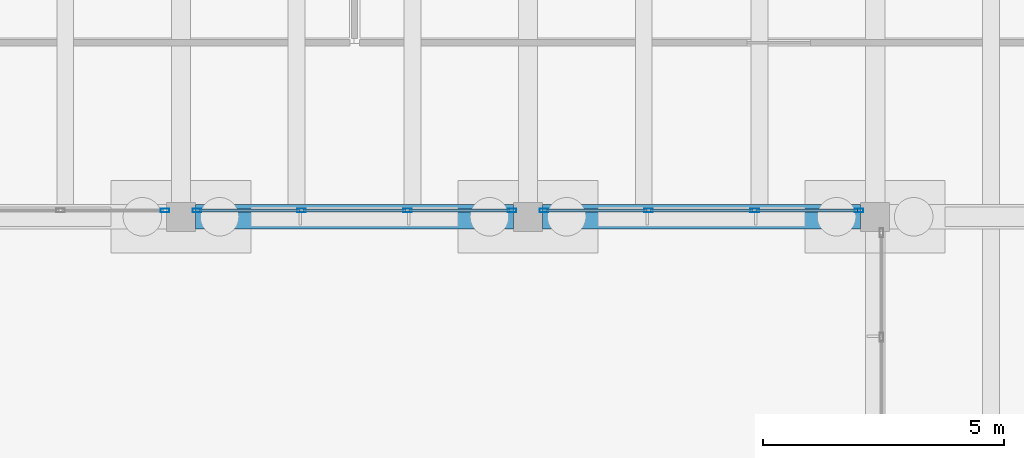
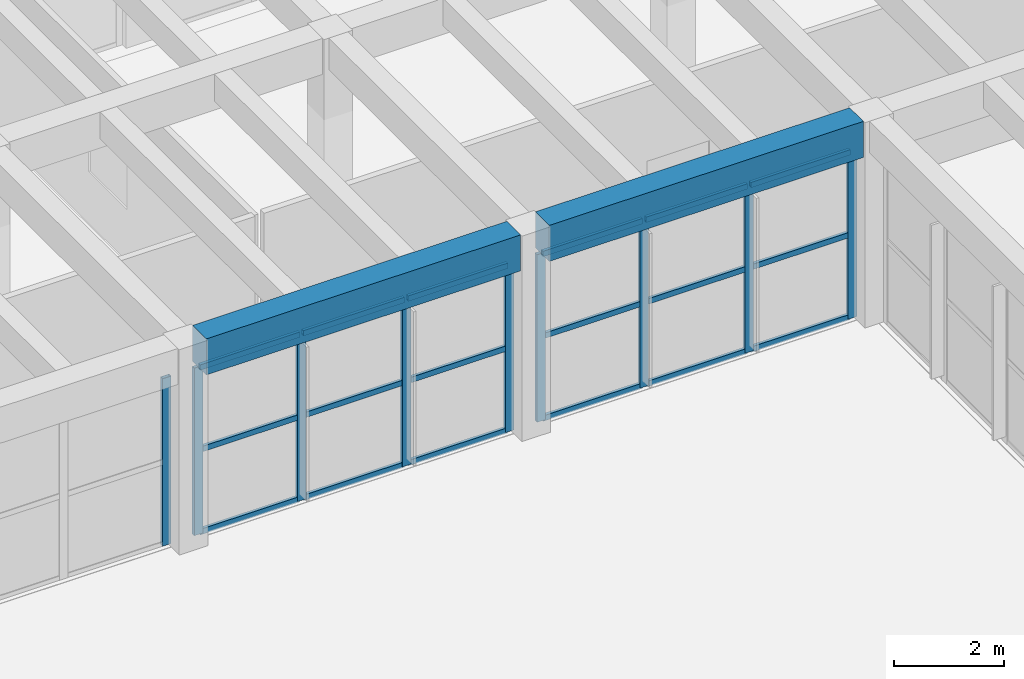
# One storey, part 45 of 155: 27 members, 2 beams, 3 elements without a shape of their own.
"""IFC4 building model written with IfcOpenShell, lengths in metres."""

from ifc_helpers import new_model, si_unit, direction, frame, origin, origin_2d, place, context, subcontext, project, spatial, rectangle, hollow_rectangle, extrude, material, material_profile, profile_set, type_object, element, aggregate, save


model = new_model("IFC4")

# Units and contexts
model_context = context("Model", 3, precision=1e-05, world=origin(), true_north=direction((0.0, 1.0)))
body_context = subcontext(model_context, "Body", "Model", "MODEL_VIEW")
ifc_project = project(units=[si_unit("LENGTHUNIT", "METRE"), si_unit("AREAUNIT", "SQUARE_METRE"), si_unit("VOLUMEUNIT", "CUBIC_METRE"), si_unit("PLANEANGLEUNIT", "RADIAN"), si_unit("MASSUNIT", "GRAM", prefix="KILO")], contexts=[model_context])

# Site, building, storey
site_placement = place(None, origin())
site = spatial("IfcSite", under=ifc_project, at=site_placement, CompositionType="ELEMENT")
building_placement = place(site_placement, origin())
building = spatial("IfcBuilding", under=site, at=building_placement, Name="Bramvelor Terrace Health Centre", CompositionType="ELEMENT")
storey_placement = place(building_placement, origin())
storey = spatial("IfcBuildingStorey", under=building, at=storey_placement, Name="L01", CompositionType="ELEMENT", Elevation=0.0)

# Beams
ifc_material_1 = material(Name="Concrete C40/50", Category="concrete")
ifc_material_profile_1 = material_profile(ifc_material_1, rectangle(XDim=0.5, YDim=0.800048828125, at=origin_2d()), Name="RC 500x800")
ifc_profile_set_1 = profile_set([ifc_material_profile_1], Name="Concrete C40/50")
beam_type = type_object("IfcBeamType", Name="BM-RC-G800", PredefinedType="BEAM", material=ifc_profile_set_1)
for number, where, z_axis, x_axis, name in (
    (1, (65.10009765625, 64.800048828125, 4.159912109375), (1.0, 0.0, 0.0), (0.0, 1.0, 0.0), "L01 Floor Girder"),
    (2, (72.300048828125, 64.800048828125, 4.159912109375), (1.0, 0.0, 0.0), (0.0, 1.0, 0.0), "L01 Floor Girder"),
):
    element("IfcBeam", number, at=place(storey_placement, frame(where, z_axis=z_axis, x_axis=x_axis)), inside=storey, type_object=beam_type, Name=name, PredefinedType="BEAM", context=body_context, shape_type="SweptSolid", body=[
        extrude(rectangle(XDim=0.5, YDim=0.800048828125, at=origin_2d()), origin(), (0.0, 0.0, 1.0), 6.599853515625),
    ])

# Curtain wall, members
ifc_material_2 = material(Name="Anodized aluminium and double low-E glass", Category="aluminium")
curtain_wall_type = type_object("IfcCurtainWallType", Name="CW-SYS-02", PredefinedType="NOTDEFINED", material=ifc_material_2)
curtain_wall_1_placement = place(storey_placement, origin())
curtain_wall_1 = element("IfcCurtainWall", 3, at=curtain_wall_1_placement, inside=storey, type_object=curtain_wall_type, Name="L01 Unitized Curtain Wall 64", PredefinedType="NOTDEFINED")
ifc_material_3 = material(Name="Anodized aluminium 6063-T6", Category="aluminium")
ifc_material_profile_2 = material_profile(ifc_material_3, hollow_rectangle(XDim=0.074951171875, YDim=0.179931640625, WallThickness=0.00341796875, at=origin_2d()), Name="ALU-MUL 75x180x3.5")
ifc_profile_set_2 = profile_set([ifc_material_profile_2], Name="Anodized aluminium 6063-T6")
member_type_1 = type_object("IfcMemberType", Name="CW-MUL-65x180", PredefinedType="MULLION", material=ifc_profile_set_2)
member_1_placement = place(storey_placement, frame((78.867431640625, 64.929931640625, 0.0), z_axis=(0.0, 0.0, 1.0), x_axis=(0.0, -1.0, 0.0)))
member_1 = element("IfcMember", 4, at=member_1_placement, type_object=member_type_1, Name="CW-02 mullion 1", PredefinedType="MULLION", context=body_context, shape_type="SweptSolid", body=[
    extrude(hollow_rectangle(XDim=0.074951171875, YDim=0.179931640625, WallThickness=0.00341796875, at=origin_2d()), origin(), (0.0, 0.0, 1.0), 3.719970703125),
])
member_2_placement = place(storey_placement, frame((76.70166015625, 64.929931640625, 0.0), z_axis=(0.0, 0.0, 1.0), x_axis=(0.0, -1.0, 0.0)))
member_2 = element("IfcMember", 5, at=member_2_placement, type_object=member_type_1, Name="CW-02 mullion 2", PredefinedType="MULLION", context=body_context, shape_type="SweptSolid", body=[
    extrude(hollow_rectangle(XDim=0.074951171875, YDim=0.179931640625, WallThickness=0.00341796875, at=origin_2d()), origin(), (0.0, 0.0, 1.0), 3.719970703125),
])
member_3_placement = place(storey_placement, frame((74.498291015625, 64.929931640625, 0.0), z_axis=(0.0, 0.0, 1.0), x_axis=(0.0, -1.0, 0.0)))
member_3 = element("IfcMember", 6, at=member_3_placement, type_object=member_type_1, Name="CW-02 mullion 3", PredefinedType="MULLION", context=body_context, shape_type="SweptSolid", body=[
    extrude(hollow_rectangle(XDim=0.074951171875, YDim=0.179931640625, WallThickness=0.00341796875, at=origin_2d()), origin(), (0.0, 0.0, 1.0), 3.719970703125),
])
member_4_placement = place(storey_placement, frame((72.33251953125, 64.929931640625, 0.0), z_axis=(0.0, 0.0, 1.0), x_axis=(0.0, -1.0, 0.0)))
member_4 = element("IfcMember", 7, at=member_4_placement, type_object=member_type_1, Name="CW-02 mullion 4", PredefinedType="MULLION", context=body_context, shape_type="SweptSolid", body=[
    extrude(hollow_rectangle(XDim=0.074951171875, YDim=0.179931640625, WallThickness=0.00341796875, at=origin_2d()), origin(), (0.0, 0.0, 1.0), 3.719970703125),
])

curtain_wall_2_placement = place(storey_placement, origin())
curtain_wall_2 = element("IfcCurtainWall", 8, at=curtain_wall_2_placement, inside=storey, type_object=curtain_wall_type, Name="L01 Unitized Curtain Wall 65", PredefinedType="NOTDEFINED")
member_5_placement = place(storey_placement, frame((71.66748046875, 64.929931640625, 0.0), z_axis=(0.0, 0.0, 1.0), x_axis=(0.0, -1.0, 0.0)))
member_5 = element("IfcMember", 9, at=member_5_placement, type_object=member_type_1, Name="CW-02 mullion 1", PredefinedType="MULLION", context=body_context, shape_type="SweptSolid", body=[
    extrude(hollow_rectangle(XDim=0.074951171875, YDim=0.179931640625, WallThickness=0.00341796875, at=origin_2d()), origin(), (0.0, 0.0, 1.0), 3.719970703125),
])
member_6_placement = place(storey_placement, frame((69.501708984375, 64.929931640625, 0.0), z_axis=(0.0, 0.0, 1.0), x_axis=(0.0, -1.0, 0.0)))
member_6 = element("IfcMember", 10, at=member_6_placement, type_object=member_type_1, Name="CW-02 mullion 2", PredefinedType="MULLION", context=body_context, shape_type="SweptSolid", body=[
    extrude(hollow_rectangle(XDim=0.074951171875, YDim=0.179931640625, WallThickness=0.00341796875, at=origin_2d()), origin(), (0.0, 0.0, 1.0), 3.719970703125),
])
member_7_placement = place(storey_placement, frame((67.29833984375, 64.929931640625, 0.0), z_axis=(0.0, 0.0, 1.0), x_axis=(0.0, -1.0, 0.0)))
member_7 = element("IfcMember", 11, at=member_7_placement, type_object=member_type_1, Name="CW-02 mullion 3", PredefinedType="MULLION", context=body_context, shape_type="SweptSolid", body=[
    extrude(hollow_rectangle(XDim=0.074951171875, YDim=0.179931640625, WallThickness=0.00341796875, at=origin_2d()), origin(), (0.0, 0.0, 1.0), 3.719970703125),
])
member_8_placement = place(storey_placement, frame((65.132568359375, 64.929931640625, 0.0), z_axis=(0.0, 0.0, 1.0), x_axis=(0.0, -1.0, 0.0)))
member_8 = element("IfcMember", 12, at=member_8_placement, type_object=member_type_1, Name="CW-02 mullion 4", PredefinedType="MULLION", context=body_context, shape_type="SweptSolid", body=[
    extrude(hollow_rectangle(XDim=0.074951171875, YDim=0.179931640625, WallThickness=0.00341796875, at=origin_2d()), origin(), (0.0, 0.0, 1.0), 3.719970703125),
])

# Curtain wall, member
curtain_wall_3_placement = place(storey_placement, origin())
curtain_wall_3 = element("IfcCurtainWall", 13, at=curtain_wall_3_placement, inside=storey, type_object=curtain_wall_type, Name="L01 Unitized Curtain Wall 66", PredefinedType="NOTDEFINED")
member_9_placement = place(storey_placement, frame((64.467529296875, 64.929931640625, 0.0), z_axis=(0.0, 0.0, 1.0), x_axis=(0.0, -1.0, 0.0)))
member_9 = element("IfcMember", 14, at=member_9_placement, type_object=member_type_1, Name="CW-02 mullion 1", PredefinedType="MULLION", context=body_context, shape_type="SweptSolid", body=[
    extrude(hollow_rectangle(XDim=0.074951171875, YDim=0.179931640625, WallThickness=0.00341796875, at=origin_2d()), origin(), (0.0, 0.0, 1.0), 3.719970703125),
])
aggregate(curtain_wall_3, [member_9])

# Member
ifc_material_4 = material(Name="Anodized aluminium 6063-T6", Category="aluminium")
ifc_material_profile_3 = material_profile(ifc_material_4, hollow_rectangle(XDim=0.06494140625, YDim=0.1201171875, WallThickness=0.0029296875, at=origin_2d()), Name="ALU-TRN 65x120x3.0")
ifc_profile_set_3 = profile_set([ifc_material_profile_3], Name="Anodized aluminium 6063-T6")
member_type_2 = type_object("IfcMemberType", Name="CW-TRN-65x150", PredefinedType="USERDEFINED", material=ifc_profile_set_3)
member_10_placement = place(storey_placement, frame((78.830078125, 64.929931640625, 0.032470703125), z_axis=(-1.0, 0.0, 0.0), x_axis=(0.0, -1.0, 0.0)))
member_10 = element("IfcMember", 15, at=member_10_placement, type_object=member_type_2, Name="CW-02 transom 1.1", ObjectType="TRANSOM", PredefinedType="USERDEFINED", context=body_context, shape_type="SweptSolid", body=[
    extrude(hollow_rectangle(XDim=0.06494140625, YDim=0.1201171875, WallThickness=0.0029296875, at=origin_2d()), origin(), (0.0, 0.0, 1.0), 2.0908203125),
])

member_11_placement = place(storey_placement, frame((78.830078125, 64.929931640625, 1.860107421875), z_axis=(-1.0, 0.0, 0.0), x_axis=(0.0, -1.0, 0.0)))
member_11 = element("IfcMember", 16, at=member_11_placement, type_object=member_type_2, Name="CW-02 transom 1.2", ObjectType="TRANSOM", PredefinedType="USERDEFINED", context=body_context, shape_type="SweptSolid", body=[
    extrude(hollow_rectangle(XDim=0.06494140625, YDim=0.1201171875, WallThickness=0.0029296875, at=origin_2d()), origin(), (0.0, 0.0, 1.0), 2.0908203125),
])

member_12_placement = place(storey_placement, frame((78.830078125, 64.929931640625, 3.6875), z_axis=(-1.0, 0.0, 0.0), x_axis=(0.0, -1.0, 0.0)))
member_12 = element("IfcMember", 17, at=member_12_placement, type_object=member_type_2, Name="CW-02 transom 1.3", ObjectType="TRANSOM", PredefinedType="USERDEFINED", context=body_context, shape_type="SweptSolid", body=[
    extrude(hollow_rectangle(XDim=0.06494140625, YDim=0.1201171875, WallThickness=0.0029296875, at=origin_2d()), origin(), (0.0, 0.0, 1.0), 2.0908203125),
])

member_13_placement = place(storey_placement, frame((76.6640625, 64.929931640625, 0.032470703125), z_axis=(-1.0, 0.0, 0.0), x_axis=(0.0, -1.0, 0.0)))
member_13 = element("IfcMember", 18, at=member_13_placement, type_object=member_type_2, Name="CW-02 transom 2.1", ObjectType="TRANSOM", PredefinedType="USERDEFINED", context=body_context, shape_type="SweptSolid", body=[
    extrude(hollow_rectangle(XDim=0.06494140625, YDim=0.1201171875, WallThickness=0.0029296875, at=origin_2d()), origin(), (0.0, 0.0, 1.0), 2.128173828125),
])

member_14_placement = place(storey_placement, frame((76.6640625, 64.929931640625, 1.860107421875), z_axis=(-1.0, 0.0, 0.0), x_axis=(0.0, -1.0, 0.0)))
member_14 = element("IfcMember", 19, at=member_14_placement, type_object=member_type_2, Name="CW-02 transom 2.2", ObjectType="TRANSOM", PredefinedType="USERDEFINED", context=body_context, shape_type="SweptSolid", body=[
    extrude(hollow_rectangle(XDim=0.06494140625, YDim=0.1201171875, WallThickness=0.0029296875, at=origin_2d()), origin(), (0.0, 0.0, 1.0), 2.128173828125),
])

member_15_placement = place(storey_placement, frame((76.6640625, 64.929931640625, 3.6875), z_axis=(-1.0, 0.0, 0.0), x_axis=(0.0, -1.0, 0.0)))
member_15 = element("IfcMember", 20, at=member_15_placement, type_object=member_type_2, Name="CW-02 transom 2.3", ObjectType="TRANSOM", PredefinedType="USERDEFINED", context=body_context, shape_type="SweptSolid", body=[
    extrude(hollow_rectangle(XDim=0.06494140625, YDim=0.1201171875, WallThickness=0.0029296875, at=origin_2d()), origin(), (0.0, 0.0, 1.0), 2.128173828125),
])

member_16_placement = place(storey_placement, frame((74.4609375, 64.929931640625, 0.032470703125), z_axis=(-1.0, 0.0, 0.0), x_axis=(0.0, -1.0, 0.0)))
member_16 = element("IfcMember", 21, at=member_16_placement, type_object=member_type_2, Name="CW-02 transom 3.1", ObjectType="TRANSOM", PredefinedType="USERDEFINED", context=body_context, shape_type="SweptSolid", body=[
    extrude(hollow_rectangle(XDim=0.06494140625, YDim=0.1201171875, WallThickness=0.0029296875, at=origin_2d()), origin(), (0.0, 0.0, 1.0), 2.0908203125),
])

member_17_placement = place(storey_placement, frame((74.4609375, 64.929931640625, 1.860107421875), z_axis=(-1.0, 0.0, 0.0), x_axis=(0.0, -1.0, 0.0)))
member_17 = element("IfcMember", 22, at=member_17_placement, type_object=member_type_2, Name="CW-02 transom 3.2", ObjectType="TRANSOM", PredefinedType="USERDEFINED", context=body_context, shape_type="SweptSolid", body=[
    extrude(hollow_rectangle(XDim=0.06494140625, YDim=0.1201171875, WallThickness=0.0029296875, at=origin_2d()), origin(), (0.0, 0.0, 1.0), 2.0908203125),
])

member_18_placement = place(storey_placement, frame((74.4609375, 64.929931640625, 3.6875), z_axis=(-1.0, 0.0, 0.0), x_axis=(0.0, -1.0, 0.0)))
member_18 = element("IfcMember", 23, at=member_18_placement, type_object=member_type_2, Name="CW-02 transom 3.3", ObjectType="TRANSOM", PredefinedType="USERDEFINED", context=body_context, shape_type="SweptSolid", body=[
    extrude(hollow_rectangle(XDim=0.06494140625, YDim=0.1201171875, WallThickness=0.0029296875, at=origin_2d()), origin(), (0.0, 0.0, 1.0), 2.0908203125),
])

aggregate(curtain_wall_1, [member_1, member_2, member_3, member_4, member_10, member_11, member_12, member_13, member_14, member_15, member_16, member_17, member_18])

member_19_placement = place(storey_placement, frame((71.6298828125, 64.929931640625, 0.032470703125), z_axis=(-1.0, 0.0, 0.0), x_axis=(0.0, -1.0, 0.0)))
member_19 = element("IfcMember", 24, at=member_19_placement, type_object=member_type_2, Name="CW-02 transom 1.1", ObjectType="TRANSOM", PredefinedType="USERDEFINED", context=body_context, shape_type="SweptSolid", body=[
    extrude(hollow_rectangle(XDim=0.06494140625, YDim=0.1201171875, WallThickness=0.0029296875, at=origin_2d()), origin(), (0.0, 0.0, 1.0), 2.0908203125),
])

member_20_placement = place(storey_placement, frame((71.6298828125, 64.929931640625, 1.860107421875), z_axis=(-1.0, 0.0, 0.0), x_axis=(0.0, -1.0, 0.0)))
member_20 = element("IfcMember", 25, at=member_20_placement, type_object=member_type_2, Name="CW-02 transom 1.2", ObjectType="TRANSOM", PredefinedType="USERDEFINED", context=body_context, shape_type="SweptSolid", body=[
    extrude(hollow_rectangle(XDim=0.06494140625, YDim=0.1201171875, WallThickness=0.0029296875, at=origin_2d()), origin(), (0.0, 0.0, 1.0), 2.0908203125),
])

member_21_placement = place(storey_placement, frame((71.6298828125, 64.929931640625, 3.6875), z_axis=(-1.0, 0.0, 0.0), x_axis=(0.0, -1.0, 0.0)))
member_21 = element("IfcMember", 26, at=member_21_placement, type_object=member_type_2, Name="CW-02 transom 1.3", ObjectType="TRANSOM", PredefinedType="USERDEFINED", context=body_context, shape_type="SweptSolid", body=[
    extrude(hollow_rectangle(XDim=0.06494140625, YDim=0.1201171875, WallThickness=0.0029296875, at=origin_2d()), origin(), (0.0, 0.0, 1.0), 2.0908203125),
])

member_22_placement = place(storey_placement, frame((69.464111328125, 64.929931640625, 0.032470703125), z_axis=(-1.0, 0.0, 0.0), x_axis=(0.0, -1.0, 0.0)))
member_22 = element("IfcMember", 27, at=member_22_placement, type_object=member_type_2, Name="CW-02 transom 2.1", ObjectType="TRANSOM", PredefinedType="USERDEFINED", context=body_context, shape_type="SweptSolid", body=[
    extrude(hollow_rectangle(XDim=0.06494140625, YDim=0.1201171875, WallThickness=0.0029296875, at=origin_2d()), origin(), (0.0, 0.0, 1.0), 2.128173828125),
])

member_23_placement = place(storey_placement, frame((69.464111328125, 64.929931640625, 1.860107421875), z_axis=(-1.0, 0.0, 0.0), x_axis=(0.0, -1.0, 0.0)))
member_23 = element("IfcMember", 28, at=member_23_placement, type_object=member_type_2, Name="CW-02 transom 2.2", ObjectType="TRANSOM", PredefinedType="USERDEFINED", context=body_context, shape_type="SweptSolid", body=[
    extrude(hollow_rectangle(XDim=0.06494140625, YDim=0.1201171875, WallThickness=0.0029296875, at=origin_2d()), origin(), (0.0, 0.0, 1.0), 2.128173828125),
])

member_24_placement = place(storey_placement, frame((69.464111328125, 64.929931640625, 3.6875), z_axis=(-1.0, 0.0, 0.0), x_axis=(0.0, -1.0, 0.0)))
member_24 = element("IfcMember", 29, at=member_24_placement, type_object=member_type_2, Name="CW-02 transom 2.3", ObjectType="TRANSOM", PredefinedType="USERDEFINED", context=body_context, shape_type="SweptSolid", body=[
    extrude(hollow_rectangle(XDim=0.06494140625, YDim=0.1201171875, WallThickness=0.0029296875, at=origin_2d()), origin(), (0.0, 0.0, 1.0), 2.128173828125),
])

member_25_placement = place(storey_placement, frame((67.2607421875, 64.929931640625, 0.032470703125), z_axis=(-1.0, 0.0, 0.0), x_axis=(0.0, -1.0, 0.0)))
member_25 = element("IfcMember", 30, at=member_25_placement, type_object=member_type_2, Name="CW-02 transom 3.1", ObjectType="TRANSOM", PredefinedType="USERDEFINED", context=body_context, shape_type="SweptSolid", body=[
    extrude(hollow_rectangle(XDim=0.06494140625, YDim=0.1201171875, WallThickness=0.0029296875, at=origin_2d()), origin(), (0.0, 0.0, 1.0), 2.0908203125),
])

member_26_placement = place(storey_placement, frame((67.2607421875, 64.929931640625, 1.860107421875), z_axis=(-1.0, 0.0, 0.0), x_axis=(0.0, -1.0, 0.0)))
member_26 = element("IfcMember", 31, at=member_26_placement, type_object=member_type_2, Name="CW-02 transom 3.2", ObjectType="TRANSOM", PredefinedType="USERDEFINED", context=body_context, shape_type="SweptSolid", body=[
    extrude(hollow_rectangle(XDim=0.06494140625, YDim=0.1201171875, WallThickness=0.0029296875, at=origin_2d()), origin(), (0.0, 0.0, 1.0), 2.0908203125),
])

member_27_placement = place(storey_placement, frame((67.2607421875, 64.929931640625, 3.6875), z_axis=(-1.0, 0.0, 0.0), x_axis=(0.0, -1.0, 0.0)))
member_27 = element("IfcMember", 32, at=member_27_placement, type_object=member_type_2, Name="CW-02 transom 3.3", ObjectType="TRANSOM", PredefinedType="USERDEFINED", context=body_context, shape_type="SweptSolid", body=[
    extrude(hollow_rectangle(XDim=0.06494140625, YDim=0.1201171875, WallThickness=0.0029296875, at=origin_2d()), origin(), (0.0, 0.0, 1.0), 2.0908203125),
])

aggregate(curtain_wall_2, [member_5, member_6, member_7, member_8, member_19, member_20, member_21, member_22, member_23, member_24, member_25, member_26, member_27])

save(model, "model.ifc")
